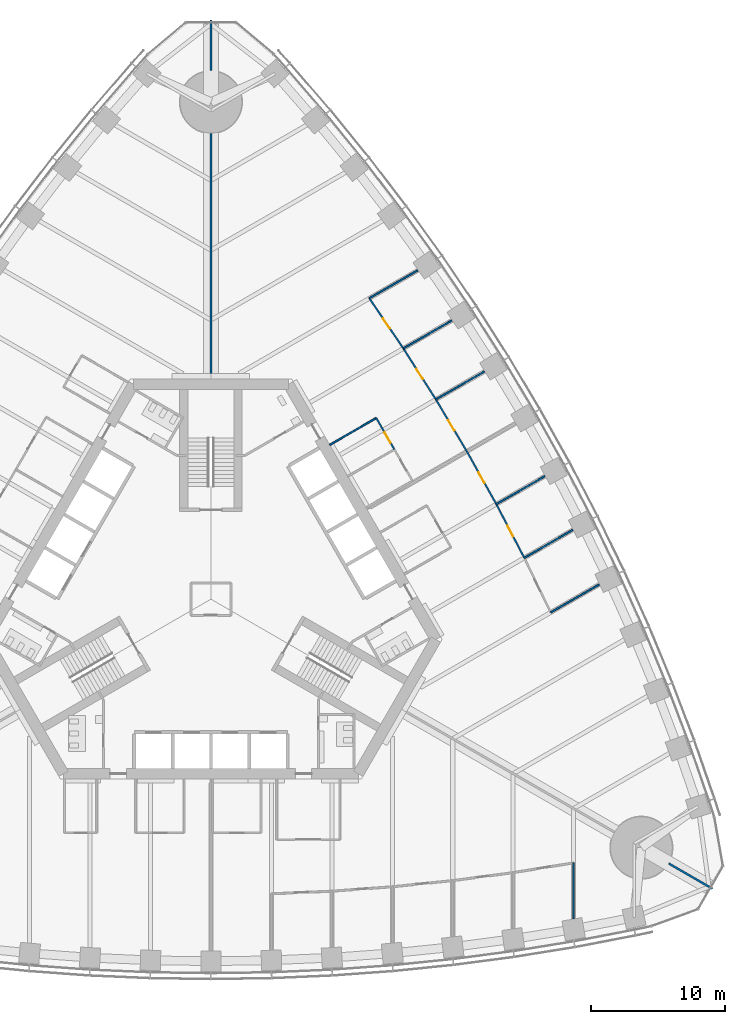
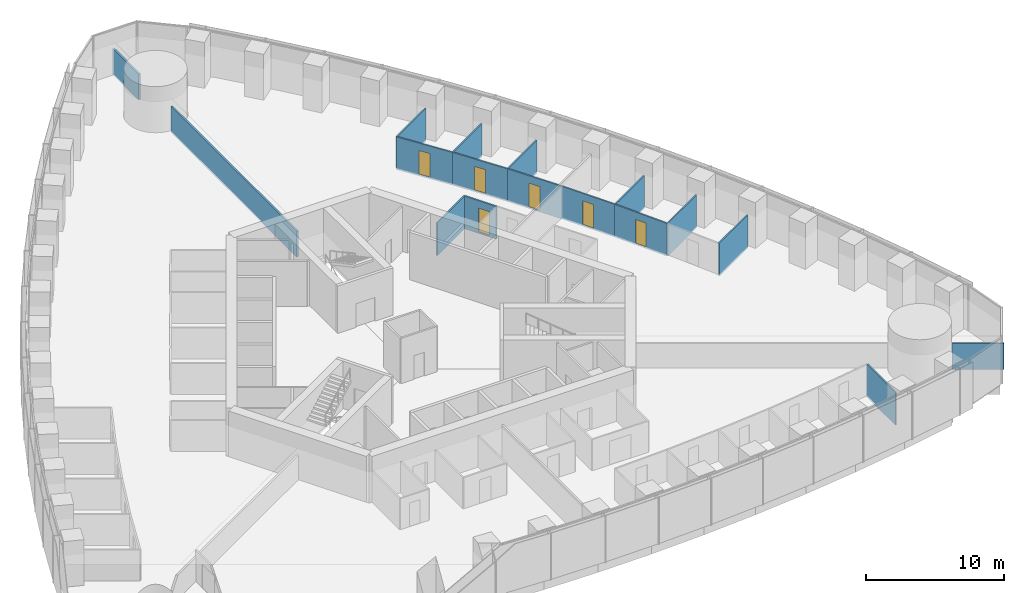
# One storey, part 13 of 19: 17 walls, 6 doors, 6 openings.
"""IFC4 building model written with IfcOpenShell, lengths in metres."""

from ifc_helpers import new_model, si_unit, direction, frame, frame_2d, origin, place, context, subcontext, project, spatial, rectangle, extrude, material, layer, layer_set, type_object, element, fill, save


model = new_model("IFC4")

# Units and contexts
model_context = context("Model", 3, precision=1e-05, world=origin(), true_north=direction((0.0, 1.0)))
body_context = subcontext(model_context, "Body", "Model", "MODEL_VIEW")
ifc_project = project(units=[si_unit("LENGTHUNIT", "METRE"), si_unit("AREAUNIT", "SQUARE_METRE"), si_unit("VOLUMEUNIT", "CUBIC_METRE"), si_unit("PLANEANGLEUNIT", "RADIAN"), si_unit("MASSUNIT", "GRAM", prefix="KILO")], contexts=[model_context])

# Site, building, storey
site_placement = place(None, origin())
site = spatial("IfcSite", under=ifc_project, at=site_placement, CompositionType="ELEMENT")
building_placement = place(site_placement, origin())
building = spatial("IfcBuilding", under=site, at=building_placement, Name="Trefoil Bronze Tower", CompositionType="ELEMENT")
storey_placement = place(building_placement, frame((0.0, 0.0, 45.89990234375)))
storey = spatial("IfcBuildingStorey", under=building, at=storey_placement, Name="L10", CompositionType="ELEMENT", Elevation=45.89990234375)

# Wall
ifc_material_1 = material(Name="Glazed partition", Category="glass")
ifc_layer_1 = layer(ifc_material_1, 0.1201171875)
ifc_layer_set_1 = layer_set([ifc_layer_1], Name="Glazed partition 120")
wall_type_1 = type_object("IfcWallType", Name="Glazed partition 120", PredefinedType="PARTITIONING", material=ifc_layer_set_1)
wall_1_placement = place(storey_placement, frame((27.0, -19.63037109375, 0.0), z_axis=(0.0, 0.0, 1.0), x_axis=(0.0, -1.0, 0.0)))
element("IfcWall", 1, at=wall_1_placement, inside=storey, type_object=wall_type_1, Name="Partition F1 L10", PredefinedType="PARTITIONING", context=body_context, shape_type="SweptSolid", body=[
    extrude(rectangle(XDim=4.145751953125, YDim=0.1201171875, at=frame_2d((2.07275390625, 0.0))), origin(), (0.0, 0.0, 1.0), 2.900146484375),
])

# Wall, opening, door
wall_2_placement = place(storey_placement, frame((13.65625, 11.146484375, 0.0), z_axis=(0.0, 0.0, 1.0), x_axis=(-0.4999416173, 0.866059108428, 0.0)))
wall_2 = element("IfcWall", 2, at=wall_2_placement, inside=storey, type_object=wall_type_1, Name="Partition F2 L10", PredefinedType="PARTITIONING", context=body_context, shape_type="SweptSolid", body=[
    extrude(rectangle(XDim=2.699951171875, YDim=0.1201171875, at=frame_2d((1.35009765625, 0.0))), origin(), (0.0, 0.0, 1.0), 2.900146484375),
])
opening_1_placement = place(wall_2_placement, frame((0.550048828125, 0.0, 0.14990234375)))
opening_1 = element("IfcOpeningElement", 3, at=opening_1_placement, cuts=wall_2, Name="Opening D8", PredefinedType="OPENING", context=body_context, shape_type="SweptSolid", body=[
    extrude(rectangle(XDim=0.89990234375, YDim=2.10009765625, at=frame_2d((0.449951171875, 1.050048828125))), frame((0.0, 0.070068359375, 0.0), z_axis=(0.0, -1.0, 0.0), x_axis=(1.0, 0.0, 0.0)), (0.0, 0.0, 1.0), 0.14013671875),
])
ifc_material_2 = material(Name="Timber door", Category="wood")
door_type = type_object("IfcDoorType", Name="Office door 900", OperationType="SINGLE_SWING_LEFT", PredefinedType="DOOR", material=ifc_material_2)
door_1_placement = place(opening_1_placement, origin())
door_1 = element("IfcDoor", 4, at=door_1_placement, inside=storey, type_object=door_type, Name="Pantry door F2 L10", OperationType="SINGLE_SWING_LEFT", OverallHeight=2.10009765625, OverallWidth=0.89990234375, PredefinedType="DOOR", context=body_context, shape_type="SweptSolid", body=[
    extrude(rectangle(XDim=0.89990234375, YDim=2.10009765625, at=frame_2d((0.449951171875, 1.050048828125))), frame((0.0, 0.02490234375, 0.0), z_axis=(0.0, -1.0, 0.0), x_axis=(1.0, 0.0, 0.0)), (0.0, 0.0, 1.0), 0.050048828125),
])
fill(opening_1, door_1)

# Wall
wall_3_placement = place(storey_placement, frame((8.84228515625, 11.48486328125, 0.0), z_axis=(0.0, 0.0, 1.0), x_axis=(0.866026010844, 0.49999894854, 0.0)))
element("IfcWall", 5, at=wall_3_placement, inside=storey, type_object=wall_type_1, Name="Partition F2 L10", PredefinedType="PARTITIONING", context=body_context, shape_type="SweptSolid", body=[
    extrude(rectangle(XDim=4.0, YDim=0.1201171875, at=frame_2d((2.0, 0.0))), origin(), (0.0, 0.0, 1.0), 2.900146484375),
])

# Wall, opening, door
wall_4_placement = place(storey_placement, frame((19.051513671875, 10.999267578125, 0.0), z_axis=(0.0, 0.0, 1.0), x_axis=(-0.51252396108, 0.858672923364, 0.0)))
wall_4 = element("IfcWall", 6, at=wall_4_placement, inside=storey, type_object=wall_type_1, Name="Partition F2 L10", PredefinedType="PARTITIONING", context=body_context, shape_type="SweptSolid", body=[
    extrude(rectangle(XDim=4.50048828125, YDim=0.1201171875, at=frame_2d((2.250244140625, 0.0))), origin(), (0.0, 0.0, 1.0), 2.900146484375),
])
opening_2_placement = place(wall_4_placement, frame((1.800048828125, 0.0, 0.14990234375)))
opening_2 = element("IfcOpeningElement", 7, at=opening_2_placement, cuts=wall_4, Name="Opening D8", PredefinedType="OPENING", context=body_context, shape_type="SweptSolid", body=[
    extrude(rectangle(XDim=0.89990234375, YDim=2.10009765625, at=frame_2d((0.449951171875, 1.050048828125))), frame((0.0, 0.070068359375, 0.0), z_axis=(0.0, -1.0, 0.0), x_axis=(1.0, 0.0, 0.0)), (0.0, 0.0, 1.0), 0.14013671875),
])
door_2_placement = place(opening_2_placement, frame((0.89990234375, 0.0, 0.0), z_axis=(0.0, 0.0, 1.0), x_axis=(-1.0, 0.0, 0.0)))
door_2 = element("IfcDoor", 8, at=door_2_placement, inside=storey, type_object=door_type, Name="Office door F2 L10", OperationType="SINGLE_SWING_RIGHT", OverallHeight=2.10009765625, OverallWidth=0.89990234375, PredefinedType="DOOR", context=body_context, shape_type="SweptSolid", body=[
    extrude(rectangle(XDim=0.89990234375, YDim=2.10009765625, at=frame_2d((0.449951171875, 1.050048828125))), frame((0.0, 0.02490234375, 0.0), z_axis=(0.0, -1.0, 0.0), x_axis=(1.0, 0.0, 0.0)), (0.0, 0.0, 1.0), 0.050048828125),
])
fill(opening_2, door_2)

wall_5_placement = place(storey_placement, frame((16.744873046875, 14.86376953125, 0.0), z_axis=(0.0, 0.0, 1.0), x_axis=(-0.537205132487, 0.843451626135, 0.0)))
wall_5 = element("IfcWall", 9, at=wall_5_placement, inside=storey, type_object=wall_type_1, Name="Partition F2 L10", PredefinedType="PARTITIONING", context=body_context, shape_type="SweptSolid", body=[
    extrude(rectangle(XDim=4.504150390625, YDim=0.1201171875, at=frame_2d((2.251953125, 0.0))), origin(), (0.0, 0.0, 1.0), 2.900146484375),
])
opening_3_placement = place(wall_5_placement, frame((1.800048828125, 0.0, 0.14990234375)))
opening_3 = element("IfcOpeningElement", 10, at=opening_3_placement, cuts=wall_5, Name="Opening D8", PredefinedType="OPENING", context=body_context, shape_type="SweptSolid", body=[
    extrude(rectangle(XDim=0.89990234375, YDim=2.10009765625, at=frame_2d((0.449951171875, 1.050048828125))), frame((0.0, 0.070068359375, 0.0), z_axis=(0.0, -1.0, 0.0), x_axis=(1.0, 0.0, 0.0)), (0.0, 0.0, 1.0), 0.14013671875),
])
door_3_placement = place(opening_3_placement, frame((0.89990234375, 0.0, 0.0), z_axis=(0.0, 0.0, 1.0), x_axis=(-1.0, 0.0, 0.0)))
door_3 = element("IfcDoor", 11, at=door_3_placement, inside=storey, type_object=door_type, Name="Office door F2 L10", OperationType="SINGLE_SWING_RIGHT", OverallHeight=2.10009765625, OverallWidth=0.89990234375, PredefinedType="DOOR", context=body_context, shape_type="SweptSolid", body=[
    extrude(rectangle(XDim=0.89990234375, YDim=2.10009765625, at=frame_2d((0.449951171875, 1.050048828125))), frame((0.0, 0.02490234375, 0.0), z_axis=(0.0, -1.0, 0.0), x_axis=(1.0, 0.0, 0.0)), (0.0, 0.0, 1.0), 0.050048828125),
])
fill(opening_3, door_3)

wall_6_placement = place(storey_placement, frame((14.3251953125, 18.662841796875, 0.0), z_axis=(0.0, 0.0, 1.0), x_axis=(-0.561512004239, 0.827468591002, 0.0)))
wall_6 = element("IfcWall", 12, at=wall_6_placement, inside=storey, type_object=wall_type_1, Name="Partition F2 L10", PredefinedType="PARTITIONING", context=body_context, shape_type="SweptSolid", body=[
    extrude(rectangle(XDim=4.51171875, YDim=0.1201171875, at=frame_2d((2.255859375, 0.0))), origin(), (0.0, 0.0, 1.0), 2.900146484375),
])
opening_4_placement = place(wall_6_placement, frame((1.800048828125, 0.0, 0.14990234375)))
opening_4 = element("IfcOpeningElement", 13, at=opening_4_placement, cuts=wall_6, Name="Opening D8", PredefinedType="OPENING", context=body_context, shape_type="SweptSolid", body=[
    extrude(rectangle(XDim=0.89990234375, YDim=2.10009765625, at=frame_2d((0.449951171875, 1.050048828125))), frame((0.0, 0.070068359375, 0.0), z_axis=(0.0, -1.0, 0.0), x_axis=(1.0, 0.0, 0.0)), (0.0, 0.0, 1.0), 0.14013671875),
])
door_4_placement = place(opening_4_placement, frame((0.89990234375, 0.0, 0.0), z_axis=(0.0, 0.0, 1.0), x_axis=(-1.0, 0.0, 0.0)))
door_4 = element("IfcDoor", 14, at=door_4_placement, inside=storey, type_object=door_type, Name="Office door F2 L10", OperationType="SINGLE_SWING_RIGHT", OverallHeight=2.10009765625, OverallWidth=0.89990234375, PredefinedType="DOOR", context=body_context, shape_type="SweptSolid", body=[
    extrude(rectangle(XDim=0.89990234375, YDim=2.10009765625, at=frame_2d((0.449951171875, 1.050048828125))), frame((0.0, 0.02490234375, 0.0), z_axis=(0.0, -1.0, 0.0), x_axis=(1.0, 0.0, 0.0)), (0.0, 0.0, 1.0), 0.050048828125),
])
fill(opening_4, door_4)

wall_7_placement = place(storey_placement, frame((21.244873046875, 7.069580078125, 0.0), z_axis=(0.0, 0.0, 1.0), x_axis=(-0.487373854787, 0.873193406795, 0.0)))
wall_7 = element("IfcWall", 15, at=wall_7_placement, inside=storey, type_object=wall_type_1, Name="Partition F2 L10", PredefinedType="PARTITIONING", context=body_context, shape_type="SweptSolid", body=[
    extrude(rectangle(XDim=4.500244140625, YDim=0.1201171875, at=frame_2d((2.25, 0.0))), origin(), (0.0, 0.0, 1.0), 2.900146484375),
])
opening_5_placement = place(wall_7_placement, frame((1.800048828125, 0.0, 0.14990234375)))
opening_5 = element("IfcOpeningElement", 16, at=opening_5_placement, cuts=wall_7, Name="Opening D8", PredefinedType="OPENING", context=body_context, shape_type="SweptSolid", body=[
    extrude(rectangle(XDim=0.89990234375, YDim=2.10009765625, at=frame_2d((0.449951171875, 1.050048828125))), frame((0.0, 0.070068359375, 0.0), z_axis=(0.0, -1.0, 0.0), x_axis=(1.0, 0.0, 0.0)), (0.0, 0.0, 1.0), 0.14013671875),
])
door_5_placement = place(opening_5_placement, frame((0.89990234375, 0.0, 0.0), z_axis=(0.0, 0.0, 1.0), x_axis=(-1.0, 0.0, 0.0)))
door_5 = element("IfcDoor", 17, at=door_5_placement, inside=storey, type_object=door_type, Name="Office door F2 L10", OperationType="SINGLE_SWING_RIGHT", OverallHeight=2.10009765625, OverallWidth=0.89990234375, PredefinedType="DOOR", context=body_context, shape_type="SweptSolid", body=[
    extrude(rectangle(XDim=0.89990234375, YDim=2.10009765625, at=frame_2d((0.449951171875, 1.050048828125))), frame((0.0, 0.02490234375, 0.0), z_axis=(0.0, -1.0, 0.0), x_axis=(1.0, 0.0, 0.0)), (0.0, 0.0, 1.0), 0.050048828125),
])
fill(opening_5, door_5)

wall_8_placement = place(storey_placement, frame((23.3251953125, 3.074462890625, 0.0), z_axis=(0.0, 0.0, 1.0), x_axis=(-0.461852697957, 0.886956642339, 0.0)))
wall_8 = element("IfcWall", 18, at=wall_8_placement, inside=storey, type_object=wall_type_1, Name="Partition F2 L10", PredefinedType="PARTITIONING", context=body_context, shape_type="SweptSolid", body=[
    extrude(rectangle(XDim=4.50439453125, YDim=0.1201171875, at=frame_2d((2.252197265625, 0.0))), origin(), (0.0, 0.0, 1.0), 2.900146484375),
])
opening_6_placement = place(wall_8_placement, frame((1.800048828125, 0.0, 0.14990234375)))
opening_6 = element("IfcOpeningElement", 19, at=opening_6_placement, cuts=wall_8, Name="Opening D8", PredefinedType="OPENING", context=body_context, shape_type="SweptSolid", body=[
    extrude(rectangle(XDim=0.89990234375, YDim=2.10009765625, at=frame_2d((0.449951171875, 1.050048828125))), frame((0.0, 0.070068359375, 0.0), z_axis=(0.0, -1.0, 0.0), x_axis=(1.0, 0.0, 0.0)), (0.0, 0.0, 1.0), 0.14013671875),
])
door_6_placement = place(opening_6_placement, frame((0.89990234375, 0.0, 0.0), z_axis=(0.0, 0.0, 1.0), x_axis=(-1.0, 0.0, 0.0)))
door_6 = element("IfcDoor", 20, at=door_6_placement, inside=storey, type_object=door_type, Name="Office door F2 L10", OperationType="SINGLE_SWING_RIGHT", OverallHeight=2.10009765625, OverallWidth=0.89990234375, PredefinedType="DOOR", context=body_context, shape_type="SweptSolid", body=[
    extrude(rectangle(XDim=0.89990234375, YDim=2.10009765625, at=frame_2d((0.449951171875, 1.050048828125))), frame((0.0, 0.02490234375, 0.0), z_axis=(0.0, -1.0, 0.0), x_axis=(1.0, 0.0, 0.0)), (0.0, 0.0, 1.0), 0.050048828125),
])
fill(opening_6, door_6)

# Walls
wall_9_placement = place(storey_placement, frame((11.791748046875, 22.396240234375, 0.0), z_axis=(0.0, 0.0, 1.0), x_axis=(0.866011781705, 0.500023593391, 0.0)))
element("IfcWall", 21, at=wall_9_placement, inside=storey, type_object=wall_type_1, Name="Partition F2 L10", PredefinedType="PARTITIONING", context=body_context, shape_type="SweptSolid", body=[
    extrude(rectangle(XDim=4.163818359375, YDim=0.1201171875, at=frame_2d((2.08203125, 0.0))), origin(), (0.0, 0.0, 1.0), 2.900146484375),
])
wall_10_placement = place(storey_placement, frame((16.744873046875, 14.86376953125, 0.0), z_axis=(0.0, 0.0, 1.0), x_axis=(0.866025669538, 0.499999539701, 0.0)))
element("IfcWall", 22, at=wall_10_placement, inside=storey, type_object=wall_type_1, Name="Partition F2 L10", PredefinedType="PARTITIONING", context=body_context, shape_type="SweptSolid", body=[
    extrude(rectangle(XDim=4.16943359375, YDim=0.1201171875, at=frame_2d((2.084716796875, 0.0))), origin(), (0.0, 0.0, 1.0), 2.900146484375),
])
wall_11_placement = place(storey_placement, frame((14.3251953125, 18.662841796875, 0.0), z_axis=(0.0, 0.0, 1.0), x_axis=(0.866009971343, 0.50002672882, 0.0)))
element("IfcWall", 23, at=wall_11_placement, inside=storey, type_object=wall_type_1, Name="Partition F2 L10", PredefinedType="PARTITIONING", context=body_context, shape_type="SweptSolid", body=[
    extrude(rectangle(XDim=4.167236328125, YDim=0.1201171875, at=frame_2d((2.08349609375, 0.0))), origin(), (0.0, 0.0, 1.0), 2.900146484375),
])
wall_12_placement = place(storey_placement, frame((25.291748046875, -0.986328125, 0.0), z_axis=(0.0, 0.0, 1.0), x_axis=(0.866011781705, 0.500023593391, 0.0)))
element("IfcWall", 24, at=wall_12_placement, inside=storey, type_object=wall_type_1, Name="Partition F2 L10", PredefinedType="PARTITIONING", context=body_context, shape_type="SweptSolid", body=[
    extrude(rectangle(XDim=4.163818359375, YDim=0.1201171875, at=frame_2d((2.08203125, 0.0))), origin(), (0.0, 0.0, 1.0), 2.900146484375),
])
wall_13_placement = place(storey_placement, frame((21.244873046875, 7.069580078125, 0.0), z_axis=(0.0, 0.0, 1.0), x_axis=(0.866025669538, 0.499999539701, 0.0)))
element("IfcWall", 25, at=wall_13_placement, inside=storey, type_object=wall_type_1, Name="Partition F2 L10", PredefinedType="PARTITIONING", context=body_context, shape_type="SweptSolid", body=[
    extrude(rectangle(XDim=4.16943359375, YDim=0.1201171875, at=frame_2d((2.084716796875, 0.0))), origin(), (0.0, 0.0, 1.0), 2.900146484375),
])
wall_14_placement = place(storey_placement, frame((23.3251953125, 3.074462890625, 0.0), z_axis=(0.0, 0.0, 1.0), x_axis=(0.866009971343, 0.50002672882, 0.0)))
element("IfcWall", 26, at=wall_14_placement, inside=storey, type_object=wall_type_1, Name="Partition F2 L10", PredefinedType="PARTITIONING", context=body_context, shape_type="SweptSolid", body=[
    extrude(rectangle(XDim=4.167236328125, YDim=0.1201171875, at=frame_2d((2.08349609375, 0.0))), origin(), (0.0, 0.0, 1.0), 2.900146484375),
])
ifc_material_3 = material(Name="Gypsum board on steel studs", Category="steel")
ifc_layer_2 = layer(ifc_material_3, 0.14990234375)
ifc_layer_set_2 = layer_set([ifc_layer_2], Name="Party wall 150")
wall_type_2 = type_object("IfcWallType", Name="Party wall 150", PredefinedType="PARTITIONING", material=ifc_layer_set_2)
wall_15_placement = place(storey_placement, frame((34.078125, -19.675048828125, 0.0), z_axis=(0.0, 0.0, 1.0), x_axis=(0.866019247219, -0.500010663332, 0.0)))
element("IfcWall", 27, at=wall_15_placement, inside=storey, type_object=wall_type_2, Name="Party wall K1 L10", PredefinedType="PARTITIONING", context=body_context, shape_type="SweptSolid", body=[
    extrude(rectangle(XDim=3.76416015625, YDim=0.14990234375, at=frame_2d((1.882080078125, 0.0))), origin(), (0.0, 0.0, 1.0), 2.300048828125),
])
wall_16_placement = place(storey_placement, frame((0.0, 16.39990234375, 0.0), z_axis=(0.0, 0.0, 1.0), x_axis=(0.0, 1.0, 0.0)))
element("IfcWall", 28, at=wall_16_placement, inside=storey, type_object=wall_type_2, Name="Party wall K2 L10", PredefinedType="PARTITIONING", context=body_context, shape_type="SweptSolid", body=[
    extrude(rectangle(XDim=18.25, YDim=0.14990234375, at=frame_2d((9.125, 0.0))), origin(), (0.0, 0.0, 1.0), 2.300048828125),
])
wall_17_placement = place(storey_placement, frame((0.0, 39.35009765625, 0.0), z_axis=(0.0, 0.0, 1.0), x_axis=(0.0, 1.0, 0.0)))
element("IfcWall", 29, at=wall_17_placement, inside=storey, type_object=wall_type_2, Name="Party wall K2 L10", PredefinedType="PARTITIONING", context=body_context, shape_type="SweptSolid", body=[
    extrude(rectangle(XDim=3.763916015625, YDim=0.14990234375, at=frame_2d((1.8818359375, 0.0))), origin(), (0.0, 0.0, 1.0), 2.300048828125),
])

save(model, "model.ifc")
